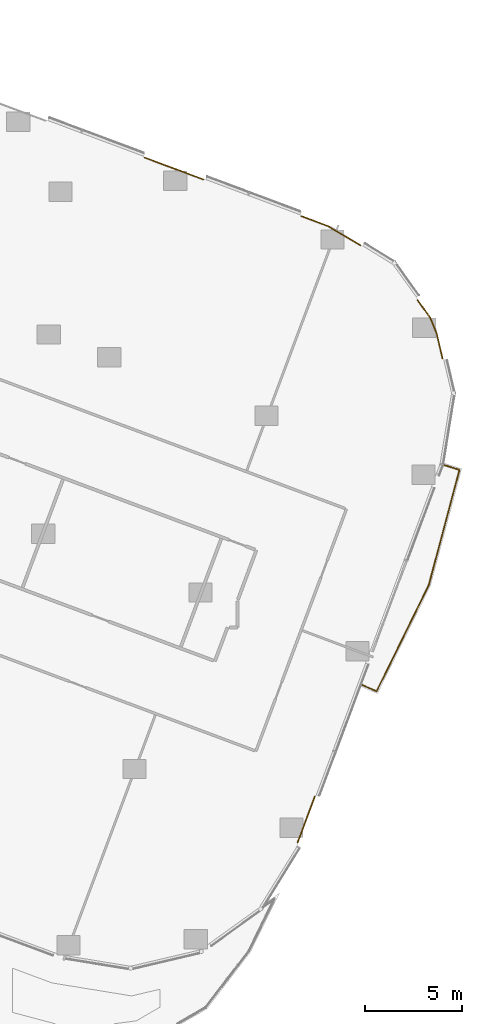
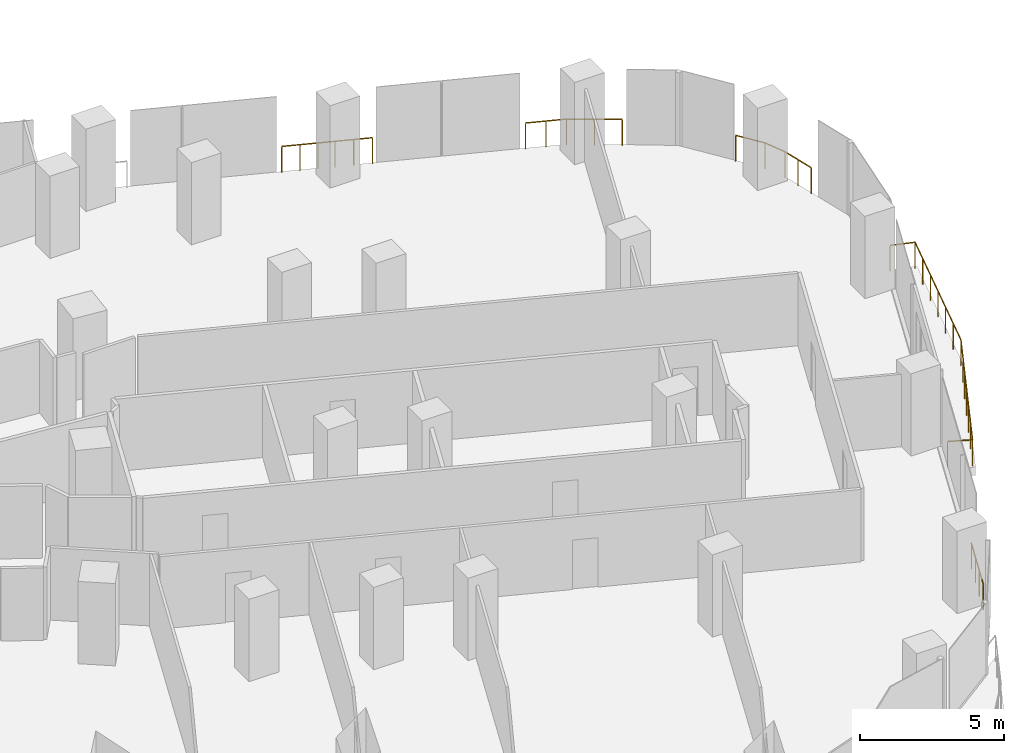
# One storey, part 29 of 30: 7 railings.
"""IFC4 building model written with IfcOpenShell, lengths in metres."""

from ifc_helpers import new_model, si_unit, direction, frame, origin, origin_2d, place, context, subcontext, project, spatial, circle, extrude, material, type_object, element, save


model = new_model("IFC4")

# Units and contexts
model_context = context("Model", 3, precision=1e-05, world=origin(), true_north=direction((0.0, 1.0)))
body_context = subcontext(model_context, "Body", "Model", "MODEL_VIEW")
ifc_project = project(units=[si_unit("LENGTHUNIT", "METRE"), si_unit("AREAUNIT", "SQUARE_METRE"), si_unit("VOLUMEUNIT", "CUBIC_METRE"), si_unit("PLANEANGLEUNIT", "RADIAN"), si_unit("MASSUNIT", "GRAM", prefix="KILO")], contexts=[model_context])

# Site, building, storey
site_placement = place(None, origin())
site = spatial("IfcSite", under=ifc_project, at=site_placement, CompositionType="ELEMENT")
building_placement = place(site_placement, origin())
building = spatial("IfcBuilding", under=site, at=building_placement, Name="Orlundy Tower", CompositionType="ELEMENT")
storey_placement = place(building_placement, frame((0.0, 0.0, 80.699951171875)))
storey = spatial("IfcBuildingStorey", under=building, at=storey_placement, Name="L19", CompositionType="ELEMENT", Elevation=80.699951171875)

# Railings
ifc_material = material(Name="Stainless steel bronze finish", Category="steel")
railing_type = type_object("IfcRailingType", Name="TG1 terrace guard", PredefinedType="GUARDRAIL", material=ifc_material)
railing_1_placement = place(storey_placement, frame((52.276611328125, 1.763916015625, 0.0)))
element("IfcRailing", 1, at=railing_1_placement, inside=storey, type_object=railing_type, Name="Guard TG-L19-E02", PredefinedType="GUARDRAIL", context=body_context, shape_type="SweptSolid", body=[
    extrude(circle(Radius=0.02490234375, at=origin_2d()), frame((0.0, 0.0, 1.09521484375), z_axis=(0.936722456776, -0.350072905225, 0.0), x_axis=(0.350072905225, 0.936722456776, 0.0)), (0.0, 0.0, 1.0), 1.451904296875),
    extrude(circle(Radius=0.02490234375, at=origin_2d()), frame((1.360107421875, -0.50830078125, 1.09521484375), z_axis=(0.860591287684, -0.509296215931, 0.0), x_axis=(0.509296215931, 0.860591287684, 0.0)), (0.0, 0.0, 1.0), 1.94384765625),
    extrude(circle(Radius=0.02001953125, at=origin_2d()), origin(), (0.0, 0.0, 1.0), 1.070068359375),
    extrude(circle(Radius=0.02001953125, at=origin_2d()), frame((0.68017578125, -0.254150390625, 0.0)), (0.0, 0.0, 1.0), 1.070068359375),
    extrude(circle(Radius=0.02001953125, at=origin_2d()), frame((1.360107421875, -0.50830078125, 0.0)), (0.0, 0.0, 1.0), 1.070068359375),
    extrude(circle(Radius=0.02001953125, at=origin_2d()), frame((2.196533203125, -1.00341796875, 0.0)), (0.0, 0.0, 1.0), 1.070068359375),
    extrude(circle(Radius=0.02001953125, at=origin_2d()), frame((3.032958984375, -1.498291015625, 0.0)), (0.0, 0.0, 1.0), 1.070068359375),
])
railing_2_placement = place(storey_placement, frame((58.25, -2.546875, 0.0)))
element("IfcRailing", 2, at=railing_2_placement, inside=storey, type_object=railing_type, Name="Guard TG-L19-E03", PredefinedType="GUARDRAIL", context=body_context, shape_type="SweptSolid", body=[
    extrude(circle(Radius=0.02490234375, at=origin_2d()), frame((0.0, 0.0, 1.09521484375), z_axis=(0.584103528588, -0.811679165614, 0.0), x_axis=(0.811679165614, 0.584103528588, 0.0)), (0.0, 0.0, 1.0), 1.118896484375),
    extrude(circle(Radius=0.02490234375, at=origin_2d()), frame((0.653564453125, -0.908203125, 1.09521484375), z_axis=(0.381811759135, -0.924240109813, 0.0), x_axis=(0.924240109813, 0.381811759135, 0.0)), (0.0, 0.0, 1.0), 0.878662109375),
    extrude(circle(Radius=0.02490234375, at=origin_2d()), frame((0.989013671875, -1.72021484375, 1.09521484375), z_axis=(0.2292843063, -0.973359495194, 0.0), x_axis=(0.973359495194, 0.2292843063, 0.0)), (0.0, 0.0, 1.0), 1.3330078125),
    extrude(circle(Radius=0.02001953125, at=origin_2d()), origin(), (0.0, 0.0, 1.0), 1.070068359375),
    extrude(circle(Radius=0.02001953125, at=origin_2d()), frame((0.653564453125, -0.908203125, 0.0)), (0.0, 0.0, 1.0), 1.070068359375),
    extrude(circle(Radius=0.02001953125, at=origin_2d()), frame((0.989013671875, -1.72021484375, 0.0)), (0.0, 0.0, 1.0), 1.070068359375),
    extrude(circle(Radius=0.02001953125, at=origin_2d()), frame((1.141845703125, -2.369140625, 0.0)), (0.0, 0.0, 1.0), 1.070068359375),
    extrude(circle(Radius=0.02001953125, at=origin_2d()), frame((1.294677734375, -3.017822265625, 0.0)), (0.0, 0.0, 1.0), 1.070068359375),
])
railing_3_placement = place(storey_placement, frame((52.970703125, -28.10888671875, 0.0)))
element("IfcRailing", 3, at=railing_3_placement, inside=storey, type_object=railing_type, Name="Guard TG-L19-E018", PredefinedType="GUARDRAIL", context=body_context, shape_type="SweptSolid", body=[
    extrude(circle(Radius=0.02490234375, at=origin_2d()), frame((0.0, 0.0, 1.09521484375), z_axis=(-0.350210746128, -0.936670931169, 0.0), x_axis=(0.936670931169, -0.350210746128, 0.0)), (0.0, 0.0, 1.0), 2.521484375),
    extrude(circle(Radius=0.02001953125, at=origin_2d()), origin(), (0.0, 0.0, 1.0), 1.070068359375),
    extrude(circle(Radius=0.02001953125, at=origin_2d()), frame((-0.29443359375, -0.787353515625, 0.0)), (0.0, 0.0, 1.0), 1.070068359375),
    extrude(circle(Radius=0.02001953125, at=origin_2d()), frame((-0.588623046875, -1.574462890625, 0.0)), (0.0, 0.0, 1.0), 1.070068359375),
    extrude(circle(Radius=0.02001953125, at=origin_2d()), frame((-0.883056640625, -2.36181640625, 0.0)), (0.0, 0.0, 1.0), 1.070068359375),
])
railing_4_placement = place(storey_placement, frame((45.97265625, 4.12109375, 0.0)))
element("IfcRailing", 4, at=railing_4_placement, inside=storey, type_object=railing_type, Name="Guard TG-L19-E021", PredefinedType="GUARDRAIL", context=body_context, shape_type="SweptSolid", body=[
    extrude(circle(Radius=0.02490234375, at=origin_2d()), frame((0.0, 0.0, 1.09521484375), z_axis=(0.936659302364, -0.350241846864, 0.0), x_axis=(0.350241846864, 0.936659302364, 0.0)), (0.0, 0.0, 1.0), 1.335693359375),
    extrude(circle(Radius=0.02001953125, at=origin_2d()), origin(), (0.0, 0.0, 1.0), 1.070068359375),
    extrude(circle(Radius=0.02001953125, at=origin_2d()), frame((0.62548828125, -0.23388671875, 0.0)), (0.0, 0.0, 1.0), 1.070068359375),
    extrude(circle(Radius=0.02001953125, at=origin_2d()), frame((1.2509765625, -0.4677734375, 0.0)), (0.0, 0.0, 1.0), 1.070068359375),
])
railing_5_placement = place(storey_placement, frame((44.21533203125, 4.778076171875, 0.0)))
element("IfcRailing", 5, at=railing_5_placement, inside=storey, type_object=railing_type, Name="Guard TG-L19-E022", PredefinedType="GUARDRAIL", context=body_context, shape_type="SweptSolid", body=[
    extrude(circle(Radius=0.02490234375, at=origin_2d()), frame((0.0, 0.0, 1.09521484375), z_axis=(0.936689027841, -0.350162341096, 0.0), x_axis=(0.350162341096, 0.936689027841, 0.0)), (0.0, 0.0, 1.0), 1.28076171875),
    extrude(circle(Radius=0.02001953125, at=origin_2d()), origin(), (0.0, 0.0, 1.0), 1.070068359375),
    extrude(circle(Radius=0.02001953125, at=origin_2d()), frame((0.599853515625, -0.22412109375, 0.0)), (0.0, 0.0, 1.0), 1.070068359375),
    extrude(circle(Radius=0.02001953125, at=origin_2d()), frame((1.19970703125, -0.448486328125, 0.0)), (0.0, 0.0, 1.0), 1.070068359375),
])
railing_6_placement = place(storey_placement, frame((45.4150390625, 4.32958984375, 0.0)))
element("IfcRailing", 6, at=railing_6_placement, inside=storey, type_object=railing_type, Name="Guard TG-L19-E029", PredefinedType="GUARDRAIL", context=body_context, shape_type="SweptSolid", body=[
    extrude(circle(Radius=0.02490234375, at=origin_2d()), frame((0.0, 0.0, 1.09521484375), z_axis=(0.936665813699, -0.350224432968, 0.0), x_axis=(0.350224432968, 0.936665813699, 0.0)), (0.0, 0.0, 1.0), 0.59521484375),
    extrude(circle(Radius=0.02001953125, at=origin_2d()), origin(), (0.0, 0.0, 1.0), 1.070068359375),
    extrude(circle(Radius=0.02001953125, at=origin_2d()), frame((0.5576171875, -0.20849609375, 0.0)), (0.0, 0.0, 1.0), 1.070068359375),
])
railing_7_placement = place(storey_placement, frame((59.566650390625, -11.0263671875, 0.0)))
element("IfcRailing", 7, at=railing_7_placement, inside=storey, type_object=railing_type, Name="Guard TG-L19-00", PredefinedType="GUARDRAIL", context=body_context, shape_type="SweptSolid", body=[
    extrude(circle(Radius=0.02490234375, at=origin_2d()), frame((0.0, 0.0, 1.09521484375), z_axis=(0.952857175493, -0.30341918712, 0.0), x_axis=(0.30341918712, 0.952857175493, 0.0)), (0.0, 0.0, 1.0), 0.888427734375),
    extrude(circle(Radius=0.02490234375, at=origin_2d()), frame((0.846435546875, -0.26953125, 1.09521484375), z_axis=(-0.257226440063, -0.966351156947, 0.0), x_axis=(0.966351156947, -0.257226440063, 0.0)), (0.0, 0.0, 1.0), 6.13134765625),
    extrude(circle(Radius=0.02490234375, at=origin_2d()), frame((-0.730712890625, -6.194580078125, 1.09521484375), z_axis=(-0.441095324432, -0.897460258042, 0.0), x_axis=(0.897460258042, -0.441095324432, 0.0)), (0.0, 0.0, 1.0), 6.091796875),
    extrude(circle(Radius=0.02490234375, at=origin_2d()), frame((-3.417724609375, -11.66162109375, 1.09521484375), z_axis=(-0.918296264505, 0.395893888051, 0.0), x_axis=(-0.395893888051, -0.918296264505, 0.0)), (0.0, 0.0, 1.0), 0.880126953125),
    extrude(circle(Radius=0.02001953125, at=origin_2d()), origin(), (0.0, 0.0, 1.0), 1.070068359375),
    extrude(circle(Radius=0.02001953125, at=origin_2d()), frame((0.846435546875, -0.26953125, 0.0)), (0.0, 0.0, 1.0), 1.070068359375),
    extrude(circle(Radius=0.02001953125, at=origin_2d()), frame((0.58349609375, -1.257080078125, 0.0)), (0.0, 0.0, 1.0), 1.070068359375),
    extrude(circle(Radius=0.02001953125, at=origin_2d()), frame((0.32080078125, -2.24462890625, 0.0)), (0.0, 0.0, 1.0), 1.070068359375),
    extrude(circle(Radius=0.02001953125, at=origin_2d()), frame((0.057861328125, -3.23193359375, 0.0)), (0.0, 0.0, 1.0), 1.070068359375),
    extrude(circle(Radius=0.02001953125, at=origin_2d()), frame((-0.205078125, -4.219482421875, 0.0)), (0.0, 0.0, 1.0), 1.070068359375),
    extrude(circle(Radius=0.02001953125, at=origin_2d()), frame((-0.4677734375, -5.20703125, 0.0)), (0.0, 0.0, 1.0), 1.070068359375),
    extrude(circle(Radius=0.02001953125, at=origin_2d()), frame((-0.730712890625, -6.194580078125, 0.0)), (0.0, 0.0, 1.0), 1.070068359375),
    extrude(circle(Radius=0.02001953125, at=origin_2d()), frame((-1.178466796875, -7.105712890625, 0.0)), (0.0, 0.0, 1.0), 1.070068359375),
    extrude(circle(Radius=0.02001953125, at=origin_2d()), frame((-1.62646484375, -8.016845703125, 0.0)), (0.0, 0.0, 1.0), 1.070068359375),
    extrude(circle(Radius=0.02001953125, at=origin_2d()), frame((-2.07421875, -8.92822265625, 0.0)), (0.0, 0.0, 1.0), 1.070068359375),
    extrude(circle(Radius=0.02001953125, at=origin_2d()), frame((-2.52197265625, -9.83935546875, 0.0)), (0.0, 0.0, 1.0), 1.070068359375),
    extrude(circle(Radius=0.02001953125, at=origin_2d()), frame((-2.969970703125, -10.75048828125, 0.0)), (0.0, 0.0, 1.0), 1.070068359375),
    extrude(circle(Radius=0.02001953125, at=origin_2d()), frame((-3.417724609375, -11.66162109375, 0.0)), (0.0, 0.0, 1.0), 1.070068359375),
    extrude(circle(Radius=0.02001953125, at=origin_2d()), frame((-4.225830078125, -11.313232421875, 0.0)), (0.0, 0.0, 1.0), 1.070068359375),
])

save(model, "model.ifc")
